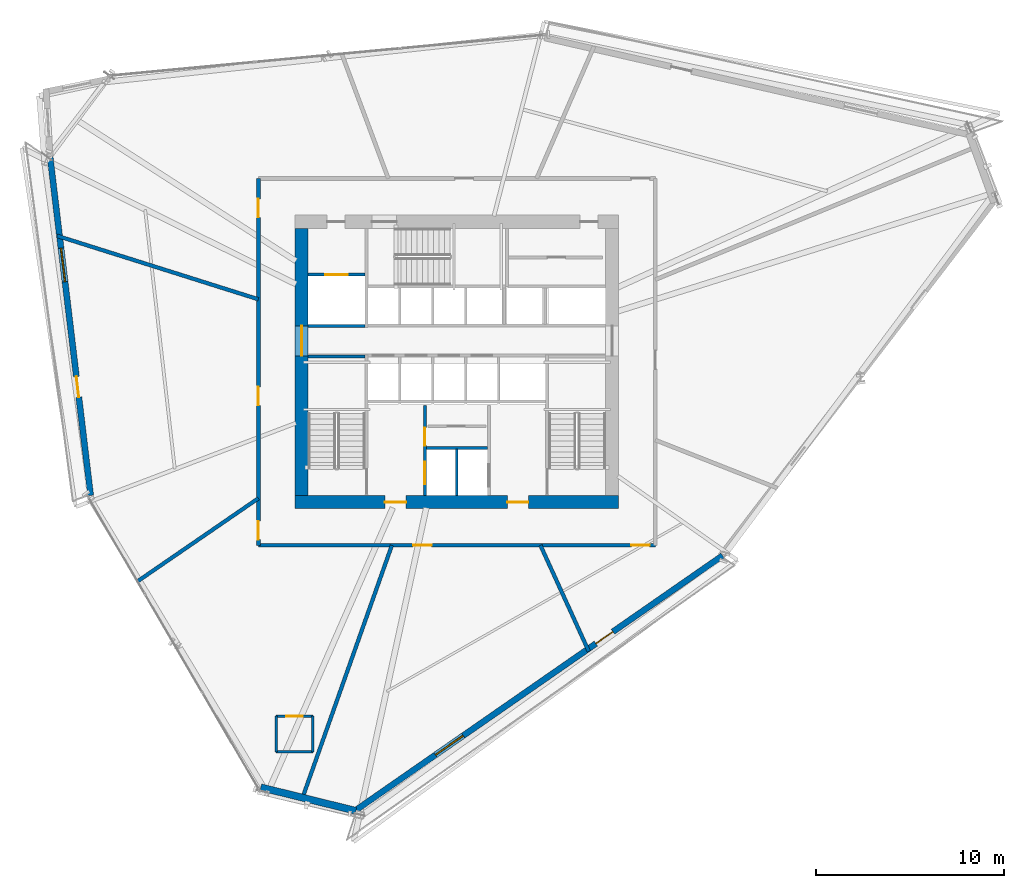
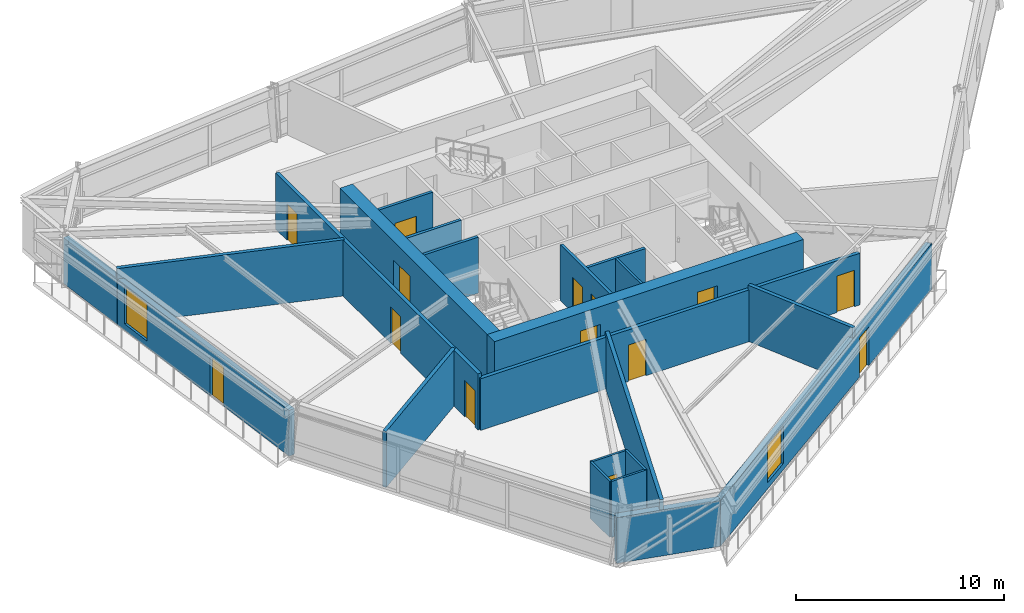
# One storey, part 11 of 17: 21 walls, 14 doors, 2 windows, 16 openings.
"""IFC4 building model written with IfcOpenShell, lengths in metres."""

from ifc_helpers import new_model, si_unit, direction, frame, frame_2d, origin, place, context, subcontext, project, spatial, rectangle, extrude, source, transform, mapped, material, layer, layer_set, type_object, type_shapes, element, fill, save


model = new_model("IFC4")

# Units and contexts
model_context = context("Model", 3, precision=1e-05, world=origin(), true_north=direction((0.0, 1.0)))
body_context = subcontext(model_context, "Body", "Model", "MODEL_VIEW")
ifc_project = project(units=[si_unit("LENGTHUNIT", "METRE"), si_unit("AREAUNIT", "SQUARE_METRE"), si_unit("VOLUMEUNIT", "CUBIC_METRE"), si_unit("PLANEANGLEUNIT", "RADIAN"), si_unit("MASSUNIT", "GRAM", prefix="KILO")], contexts=[model_context])

# Site, building, storey
site_placement = place(None, origin())
site = spatial("IfcSite", under=ifc_project, at=site_placement, CompositionType="ELEMENT")
building_placement = place(site_placement, origin())
building = spatial("IfcBuilding", under=site, at=building_placement, Name="Olszyna Solenne Hotel", CompositionType="ELEMENT")
storey_placement = place(building_placement, frame((0.0, 0.0, 116.35009765625)))
storey = spatial("IfcBuildingStorey", under=building, at=storey_placement, Name="L30", CompositionType="ELEMENT", Elevation=116.35009765625)

# Wall, openings, doors
ifc_material_1 = material(Name="Concrete C60/75", Category="concrete")
ifc_layer_1 = layer(ifc_material_1, 0.699951171875, Name="Concrete C60/75")
ifc_layer_set_1 = layer_set([ifc_layer_1], Name="Concrete C60/75")
wall_type_1 = type_object("IfcWallType", Name="WL-CR700", PredefinedType="SHEAR", material=ifc_layer_set_1)
wall_1_placement = place(storey_placement, frame((46.60009765625, 19.14990234375, 0.0), z_axis=(0.0, 0.0, 1.0), x_axis=(-1.0, 0.0, 0.0)))
wall_1 = element("IfcWall", 1, at=wall_1_placement, inside=storey, type_object=wall_type_1, Name="Core shear wall WL-CR700 CRW-L30-S", PredefinedType="SHEAR", context=body_context, shape_type="SweptSolid", body=[
    extrude(rectangle(XDim=17.2001953125, YDim=0.699951171875, at=frame_2d((8.60009765625, 0.0))), origin(), (0.0, 0.0, 1.0), 3.2998046875),
])
opening_1_placement = place(wall_1_placement, frame((4.800048828125, 0.0, 0.0)))
opening_1 = element("IfcOpeningElement", 2, at=opening_1_placement, cuts=wall_1, Name="Opening FL-L30-1", PredefinedType="OPENING", context=body_context, shape_type="SweptSolid", body=[
    extrude(rectangle(XDim=1.1201171875, YDim=2.25, at=frame_2d((0.56005859375, 1.125))), frame((0.0, 0.35986328125, 0.0), z_axis=(0.0, -1.0, 0.0), x_axis=(1.0, 0.0, 0.0)), (0.0, 0.0, 1.0), 0.719970703125),
])
opening_2_placement = place(wall_1_placement, frame((11.300048828125, 0.0, 0.0)))
opening_2 = element("IfcOpeningElement", 3, at=opening_2_placement, cuts=wall_1, Name="Opening FL-L30-2", PredefinedType="OPENING", context=body_context, shape_type="SweptSolid", body=[
    extrude(rectangle(XDim=1.1201171875, YDim=2.25, at=frame_2d((0.56005859375, 1.125))), frame((0.0, 0.35986328125, 0.0), z_axis=(0.0, -1.0, 0.0), x_axis=(1.0, 0.0, 0.0)), (0.0, 0.0, 1.0), 0.719970703125),
])
ifc_material_2 = material(Name="Steel S355J2", Category="steel")
door_type_1 = type_object("IfcDoorType", Name="DR-FL1", OperationType="NOTDEFINED", PredefinedType="DOOR", material=ifc_material_2)
shared_shape_1 = source(origin(), body_context, "Body", "SweptSolid", [
    extrude(rectangle(XDim=1.1201171875, YDim=2.25, at=frame_2d((0.56005859375, 1.125))), frame((0.0, 0.02490234375, 0.0), z_axis=(0.0, -1.0, 0.0), x_axis=(1.0, 0.0, 0.0)), (0.0, 0.0, 1.0), 0.050048828125),
])
type_shapes(door_type_1, [shared_shape_1])
door_1_placement = place(opening_1_placement, origin())
door_1 = element("IfcDoor", 4, at=door_1_placement, inside=storey, type_object=door_type_1, Name="Firefighting lift lobby smoke door FL-L30-1", OperationType="SINGLE_SWING_LEFT", OverallHeight=2.25, OverallWidth=1.1201171875, PredefinedType="DOOR", context=body_context, shape_type="MappedRepresentation", body=[
    mapped(shared_shape_1, transform((0.0, 0.0, 0.0), x_axis=(1.0, 0.0, 0.0), y_axis=(0.0, 1.0, 0.0), z_axis=(0.0, 0.0, 1.0), scale=1.0)),
])
fill(opening_1, door_1)
door_2_placement = place(opening_2_placement, origin())
door_2 = element("IfcDoor", 5, at=door_2_placement, inside=storey, type_object=door_type_1, Name="Firefighting lift lobby smoke door FL-L30-2", OperationType="SINGLE_SWING_RIGHT", OverallHeight=2.25, OverallWidth=1.1201171875, PredefinedType="DOOR", context=body_context, shape_type="MappedRepresentation", body=[
    mapped(shared_shape_1, transform((0.0, 0.0, 0.0), x_axis=(1.0, 0.0, 0.0), y_axis=(0.0, 1.0, 0.0), z_axis=(0.0, 0.0, 1.0), scale=1.0)),
])
fill(opening_2, door_2)

# Wall, opening, door
wall_2_placement = place(storey_placement, frame((29.75, 19.5, 0.0), z_axis=(0.0, 0.0, 1.0), x_axis=(0.0, 1.0, 0.0)))
wall_2 = element("IfcWall", 6, at=wall_2_placement, inside=storey, type_object=wall_type_1, Name="Core shear wall WL-CR700 CRW-L30-W", PredefinedType="SHEAR", context=body_context, shape_type="SweptSolid", body=[
    extrude(rectangle(XDim=14.199951171875, YDim=0.699951171875, at=frame_2d((7.10009765625, 0.0))), origin(), (0.0, 0.0, 1.0), 3.2998046875),
])
opening_3_placement = place(wall_2_placement, frame((7.419921875, 0.0, 0.0)))
opening_3 = element("IfcOpeningElement", 7, at=opening_3_placement, cuts=wall_2, Name="Opening LHD-L30-W", PredefinedType="OPENING", context=body_context, shape_type="SweptSolid", body=[
    extrude(rectangle(XDim=1.60009765625, YDim=2.199951171875, at=frame_2d((0.800048828125, 1.10009765625))), frame((0.0, 0.35986328125, 0.0), z_axis=(0.0, -1.0, 0.0), x_axis=(1.0, 0.0, 0.0)), (0.0, 0.0, 1.0), 0.719970703125),
])
ifc_material_3 = material(Name="Timber hardwood", Category="wood")
door_type_2 = type_object("IfcDoorType", Name="DR-CR1", OperationType="DOUBLE_DOOR_SINGLE_SWING", PredefinedType="DOOR", material=ifc_material_3)
shared_shape_2 = source(origin(), body_context, "Body", "SweptSolid", [
    extrude(rectangle(XDim=1.60009765625, YDim=2.199951171875, at=frame_2d((0.800048828125, 1.10009765625))), frame((0.0, 0.02490234375, 0.0), z_axis=(0.0, -1.0, 0.0), x_axis=(1.0, 0.0, 0.0)), (0.0, 0.0, 1.0), 0.050048828125),
])
type_shapes(door_type_2, [shared_shape_2])
door_3_placement = place(opening_3_placement, origin())
door_3 = element("IfcDoor", 8, at=door_3_placement, inside=storey, type_object=door_type_2, Name="Passenger lift lobby West fire door LHD-L30-W", OperationType="DOUBLE_DOOR_SINGLE_SWING", OverallHeight=2.199951171875, OverallWidth=1.60009765625, PredefinedType="DOOR", context=body_context, shape_type="MappedRepresentation", body=[
    mapped(shared_shape_2, transform((0.0, 0.0, 0.0), x_axis=(1.0, 0.0, 0.0), y_axis=(0.0, 1.0, 0.0), z_axis=(0.0, 0.0, 1.0), scale=1.0)),
])
fill(opening_3, door_3)

# Wall, openings, door, window
ifc_material_4 = material(Name="Precast concrete C45/55", Category="concrete")
ifc_layer_2 = layer(ifc_material_4, 0.320068359375, Name="Precast concrete C45/55")
ifc_layer_set_2 = layer_set([ifc_layer_2], Name="Precast concrete C45/55")
wall_type_2 = type_object("IfcWallType", Name="WL-EX320", PredefinedType="SOLIDWALL", material=ifc_layer_set_2)
wall_3_placement = place(storey_placement, frame((52.121337890625, 16.300537109375, 0.0), z_axis=(0.0, 0.0, 1.0), x_axis=(-0.821520503946, -0.570178973303, 0.0)))
wall_3 = element("IfcWall", 9, at=wall_3_placement, inside=storey, type_object=wall_type_2, Name="Exterior terracotta-precast frame wall WL-EX320 EW-L30-01", PredefinedType="SOLIDWALL", context=body_context, shape_type="SweptSolid", body=[
    extrude(rectangle(XDim=23.887451171875, YDim=0.320068359375, at=frame_2d((11.94384765625, 0.0))), origin(), (0.0, 0.0, 1.0), 2.69189453125),
])
opening_4_placement = place(wall_3_placement, frame((7.093994140625, 0.0, 0.0)))
opening_4 = element("IfcOpeningElement", 10, at=opening_4_placement, cuts=wall_3, Name="Opening LDG-L30-3", PredefinedType="OPENING", context=body_context, shape_type="SweptSolid", body=[
    extrude(rectangle(XDim=1.10009765625, YDim=2.300048828125, at=frame_2d((0.550048828125, 1.14990234375))), frame((0.0, 0.169921875, 0.0), z_axis=(0.0, -1.0, 0.0), x_axis=(1.0, 0.0, 0.0)), (0.0, 0.0, 1.0), 0.340087890625),
])
opening_5_placement = place(wall_3_placement, frame((16.777099609375, 0.0, 0.3720703125)))
opening_5 = element("IfcOpeningElement", 11, at=opening_5_placement, cuts=wall_3, Name="Opening WN-L30-168", PredefinedType="OPENING", context=body_context, shape_type="SweptSolid", body=[
    extrude(rectangle(XDim=1.800048828125, YDim=2.199951171875, at=frame_2d((0.89990234375, 1.10009765625))), frame((0.0, 0.169921875, 0.0), z_axis=(0.0, -1.0, 0.0), x_axis=(1.0, 0.0, 0.0)), (0.0, 0.0, 1.0), 0.340087890625),
])
ifc_material_5 = material(Name="Anodised bronze aluminium", Category="aluminium")
door_type_3 = type_object("IfcDoorType", Name="DR-LG1", OperationType="NOTDEFINED", PredefinedType="DOOR", material=ifc_material_5)
shared_shape_3 = source(origin(), body_context, "Body", "SweptSolid", [
    extrude(rectangle(XDim=1.10009765625, YDim=2.300048828125, at=frame_2d((0.550048828125, 1.14990234375))), frame((0.0, 0.02490234375, 0.0), z_axis=(0.0, -1.0, 0.0), x_axis=(1.0, 0.0, 0.0)), (0.0, 0.0, 1.0), 0.050048828125),
])
type_shapes(door_type_3, [shared_shape_3])
door_4_placement = place(opening_4_placement, origin())
door_4 = element("IfcDoor", 12, at=door_4_placement, inside=storey, type_object=door_type_3, Name="Exterior loggia balcony door DR-LG1 LDG-L30-3", OperationType="SINGLE_SWING_RIGHT", OverallHeight=2.300048828125, OverallWidth=1.10009765625, PredefinedType="DOOR", context=body_context, shape_type="MappedRepresentation", body=[
    mapped(shared_shape_3, transform((0.0, 0.0, 0.0), x_axis=(1.0, 0.0, 0.0), y_axis=(0.0, 1.0, 0.0), z_axis=(0.0, 0.0, 1.0), scale=1.0)),
])
fill(opening_4, door_4)
ifc_material_6 = material(Name="Low-E triple glazing", Category="glass")
window_type = type_object("IfcWindowType", Name="WN-HT1", PartitioningType="SINGLE_PANEL", PredefinedType="WINDOW", material=ifc_material_6)
shared_shape_4 = source(origin(), body_context, "Body", "SweptSolid", [
    extrude(rectangle(XDim=1.800048828125, YDim=2.199951171875, at=frame_2d((0.89990234375, 1.10009765625))), frame((0.0, 0.030029296875, 0.0), z_axis=(0.0, -1.0, 0.0), x_axis=(1.0, 0.0, 0.0)), (0.0, 0.0, 1.0), 0.06005859375),
])
type_shapes(window_type, [shared_shape_4])
window_1_placement = place(opening_5_placement, origin())
window_1 = element("IfcWindow", 13, at=window_1_placement, inside=storey, type_object=window_type, Name="Loggia room window WN-HT1 WN-L30-168", OverallHeight=2.199951171875, OverallWidth=1.800048828125, PartitioningType="SINGLE_PANEL", PredefinedType="WINDOW", context=body_context, shape_type="MappedRepresentation", body=[
    mapped(shared_shape_4, transform((0.0, 0.0, 0.0), x_axis=(1.0, 0.0, 0.0), y_axis=(0.0, 1.0, 0.0), z_axis=(0.0, 0.0, 1.0), scale=1.0)),
])
fill(opening_5, window_1)

wall_4_placement = place(storey_placement, frame((18.532470703125, 19.504150390625, 0.0), z_axis=(0.0, 0.0, 1.0), x_axis=(-0.118889186276, 0.992907529122, 0.0)))
wall_4 = element("IfcWall", 14, at=wall_4_placement, inside=storey, type_object=wall_type_2, Name="Exterior terracotta-precast frame wall WL-EX320 EW-L30-04", PredefinedType="SOLIDWALL", context=body_context, shape_type="SweptSolid", body=[
    extrude(rectangle(XDim=18.161376953125, YDim=0.320068359375, at=frame_2d((9.08056640625, 0.0))), origin(), (0.0, 0.0, 1.0), 2.69189453125),
])
opening_6_placement = place(wall_4_placement, frame((5.261962890625, 0.0, 0.0)))
opening_6 = element("IfcOpeningElement", 15, at=opening_6_placement, cuts=wall_4, Name="Opening LDG-L30-2", PredefinedType="OPENING", context=body_context, shape_type="SweptSolid", body=[
    extrude(rectangle(XDim=1.10009765625, YDim=2.300048828125, at=frame_2d((0.550048828125, 1.14990234375))), frame((0.0, 0.169921875, 0.0), z_axis=(0.0, -1.0, 0.0), x_axis=(1.0, 0.0, 0.0)), (0.0, 0.0, 1.0), 0.340087890625),
])
opening_7_placement = place(wall_4_placement, frame((11.43896484375, 0.0, 0.3720703125)))
opening_7 = element("IfcOpeningElement", 16, at=opening_7_placement, cuts=wall_4, Name="Opening WN-L30-169", PredefinedType="OPENING", context=body_context, shape_type="SweptSolid", body=[
    extrude(rectangle(XDim=1.800048828125, YDim=2.199951171875, at=frame_2d((0.89990234375, 1.10009765625))), frame((0.0, 0.169921875, 0.0), z_axis=(0.0, -1.0, 0.0), x_axis=(1.0, 0.0, 0.0)), (0.0, 0.0, 1.0), 0.340087890625),
])
door_5_placement = place(opening_6_placement, origin())
door_5 = element("IfcDoor", 17, at=door_5_placement, inside=storey, type_object=door_type_3, Name="Exterior loggia balcony door DR-LG1 LDG-L30-2", OperationType="SINGLE_SWING_LEFT", OverallHeight=2.300048828125, OverallWidth=1.10009765625, PredefinedType="DOOR", context=body_context, shape_type="MappedRepresentation", body=[
    mapped(shared_shape_3, transform((0.0, 0.0, 0.0), x_axis=(1.0, 0.0, 0.0), y_axis=(0.0, 1.0, 0.0), z_axis=(0.0, 0.0, 1.0), scale=1.0)),
])
fill(opening_6, door_5)
window_2_placement = place(opening_7_placement, origin())
window_2 = element("IfcWindow", 18, at=window_2_placement, inside=storey, type_object=window_type, Name="Loggia room window WN-HT1 WN-L30-169", OverallHeight=2.199951171875, OverallWidth=1.800048828125, PartitioningType="SINGLE_PANEL", PredefinedType="WINDOW", context=body_context, shape_type="MappedRepresentation", body=[
    mapped(shared_shape_4, transform((0.0, 0.0, 0.0), x_axis=(1.0, 0.0, 0.0), y_axis=(0.0, 1.0, 0.0), z_axis=(0.0, 0.0, 1.0), scale=1.0)),
])
fill(opening_7, window_2)

# Walls
ifc_material_7 = material(Name="Terracotta cladding on precast concrete C45/55", Category="masonry")
ifc_layer_3 = layer(ifc_material_7, 0.3798828125, Name="Terracotta cladding on precast concrete C45/55")
ifc_layer_set_3 = layer_set([ifc_layer_3], Name="Terracotta cladding on precast concrete C45/55")
wall_type_3 = type_object("IfcWallType", Name="WL-EX380", PredefinedType="SOLIDWALL", material=ifc_layer_set_3)
wall_5_placement = place(storey_placement, frame((32.634033203125, 2.7333984375, 0.0), z_axis=(0.0, 0.0, 1.0), x_axis=(-0.970715706746, 0.240231173408, 0.0)))
element("IfcWall", 19, at=wall_5_placement, inside=storey, type_object=wall_type_3, Name="Exterior terracotta-precast frame wall WL-EX380 EW-L30-02", PredefinedType="SOLIDWALL", context=body_context, shape_type="SweptSolid", body=[
    extrude(rectangle(XDim=5.21142578125, YDim=0.3798828125, at=frame_2d((2.605712890625, 0.0))), origin(), (0.0, 0.0, 1.0), 2.69189453125),
])
ifc_material_8 = material(Name="Acoustic gypsum partition", Category="gypsum")
ifc_layer_4 = layer(ifc_material_8, 0.125, Name="Acoustic gypsum partition")
ifc_layer_set_4 = layer_set([ifc_layer_4], Name="Acoustic gypsum partition")
wall_type_4 = type_object("IfcWallType", Name="WL-PT125", PredefinedType="PARTITIONING", material=ifc_layer_set_4)
wall_6_placement = place(storey_placement, frame((38.0, 19.5, 0.0), z_axis=(0.0, 0.0, 1.0), x_axis=(0.0, 1.0, 0.0)))
element("IfcWall", 20, at=wall_6_placement, inside=storey, type_object=wall_type_4, Name="Core shaft compartment wall CW-L30-FFM", PredefinedType="PARTITIONING", context=body_context, shape_type="SweptSolid", body=[
    extrude(rectangle(XDim=2.4599609375, YDim=0.125, at=frame_2d((1.22998046875, 0.0))), origin(), (0.0, 0.0, 1.0), 3.2998046875),
])
wall_7_placement = place(storey_placement, frame((30.344970703125, 5.87109375, 0.0), z_axis=(0.0, 0.0, 1.0), x_axis=(0.0, 1.0, 0.0)))
element("IfcWall", 21, at=wall_7_placement, inside=storey, type_object=wall_type_4, Name="Interior acoustic partition WL-PT125 PW-L30-1742", PredefinedType="PARTITIONING", context=body_context, shape_type="SweptSolid", body=[
    extrude(rectangle(XDim=1.89990234375, YDim=0.125, at=frame_2d((0.949951171875, 0.0))), origin(), (0.0, 0.0, 1.0), 3.2998046875),
])

# Wall, opening, door
wall_8_placement = place(storey_placement, frame((30.344970703125, 7.77099609375, 0.0), z_axis=(0.0, 0.0, 1.0), x_axis=(-1.0, 0.0, 0.0)))
wall_8 = element("IfcWall", 22, at=wall_8_placement, inside=storey, type_object=wall_type_4, Name="Interior acoustic partition WL-PT125 PW-L30-1743", PredefinedType="PARTITIONING", context=body_context, shape_type="SweptSolid", body=[
    extrude(rectangle(XDim=1.949951171875, YDim=0.125, at=frame_2d((0.97509765625, 0.0))), origin(), (0.0, 0.0, 1.0), 3.2998046875),
])
opening_8_placement = place(wall_8_placement, frame((0.52490234375, 0.0, 0.0)))
opening_8 = element("IfcOpeningElement", 23, at=opening_8_placement, cuts=wall_8, Name="Opening DR-L30-0413", PredefinedType="OPENING", context=body_context, shape_type="SweptSolid", body=[
    extrude(rectangle(XDim=0.89990234375, YDim=2.10009765625, at=frame_2d((0.449951171875, 1.050048828125))), frame((0.0, 0.072509765625, 0.0), z_axis=(0.0, -1.0, 0.0), x_axis=(1.0, 0.0, 0.0)), (0.0, 0.0, 1.0), 0.14501953125),
])
door_type_4 = type_object("IfcDoorType", Name="DR-WC1", OperationType="NOTDEFINED", PredefinedType="DOOR", material=ifc_material_3)
shared_shape_5 = source(origin(), body_context, "Body", "SweptSolid", [
    extrude(rectangle(XDim=0.89990234375, YDim=2.10009765625, at=frame_2d((0.449951171875, 1.050048828125))), frame((0.0, 0.02490234375, 0.0), z_axis=(0.0, -1.0, 0.0), x_axis=(1.0, 0.0, 0.0)), (0.0, 0.0, 1.0), 0.050048828125),
])
type_shapes(door_type_4, [shared_shape_5])
door_6_placement = place(opening_8_placement, origin())
door_6 = element("IfcDoor", 24, at=door_6_placement, inside=storey, type_object=door_type_4, Name="En-Suite Bathroom Door DR-L30-0413", OperationType="SINGLE_SWING_RIGHT", OverallHeight=2.10009765625, OverallWidth=0.89990234375, PredefinedType="DOOR", context=body_context, shape_type="MappedRepresentation", body=[
    mapped(shared_shape_5, transform((0.0, 0.0, 0.0), x_axis=(1.0, 0.0, 0.0), y_axis=(0.0, 1.0, 0.0), z_axis=(0.0, 0.0, 1.0), scale=1.0)),
])
fill(opening_8, door_6)

# Walls
wall_9_placement = place(storey_placement, frame((28.39501953125, 7.77099609375, 0.0), z_axis=(0.0, 0.0, 1.0), x_axis=(0.0, -1.0, 0.0)))
element("IfcWall", 25, at=wall_9_placement, inside=storey, type_object=wall_type_4, Name="Interior acoustic partition WL-PT125 PW-L30-1744", PredefinedType="PARTITIONING", context=body_context, shape_type="SweptSolid", body=[
    extrude(rectangle(XDim=1.89990234375, YDim=0.125, at=frame_2d((0.949951171875, 0.0))), origin(), (0.0, 0.0, 1.0), 3.2998046875),
])
wall_10_placement = place(storey_placement, frame((28.39501953125, 5.87109375, 0.0), z_axis=(0.0, 0.0, 1.0), x_axis=(1.0, 0.0, 0.0)))
element("IfcWall", 26, at=wall_10_placement, inside=storey, type_object=wall_type_4, Name="Interior acoustic partition WL-PT125 PW-L30-1745", PredefinedType="PARTITIONING", context=body_context, shape_type="SweptSolid", body=[
    extrude(rectangle(XDim=1.949951171875, YDim=0.125, at=frame_2d((0.97509765625, 0.0))), origin(), (0.0, 0.0, 1.0), 3.2998046875),
])
ifc_layer_5 = layer(ifc_material_8, 0.159912109375, Name="Acoustic gypsum partition")
ifc_layer_set_5 = layer_set([ifc_layer_5], Name="Acoustic gypsum partition")
wall_type_5 = type_object("IfcWallType", Name="WL-PT160", PredefinedType="PARTITIONING", material=ifc_layer_set_5)
wall_11_placement = place(storey_placement, frame((30.10009765625, 26.8798828125, 0.0), z_axis=(0.0, 0.0, 1.0), x_axis=(1.0, 0.0, 0.0)))
element("IfcWall", 27, at=wall_11_placement, inside=storey, type_object=wall_type_5, Name="Core shaft compartment wall CW-L30-ST1N", PredefinedType="PARTITIONING", context=body_context, shape_type="SweptSolid", body=[
    extrude(rectangle(XDim=3.02001953125, YDim=0.159912109375, at=frame_2d((1.510009765625, 0.0))), origin(), (0.0, 0.0, 1.0), 3.2998046875),
])

# Wall, openings, doors
wall_12_placement = place(storey_placement, frame((36.300048828125, 19.5, 0.0), z_axis=(0.0, 0.0, 1.0), x_axis=(0.0, 1.0, 0.0)))
wall_12 = element("IfcWall", 28, at=wall_12_placement, inside=storey, type_object=wall_type_5, Name="Core shaft compartment wall CW-L30-FF1W", PredefinedType="PARTITIONING", context=body_context, shape_type="SweptSolid", body=[
    extrude(rectangle(XDim=4.780029296875, YDim=0.159912109375, at=frame_2d((2.39013671875, 0.0))), origin(), (0.0, 0.0, 1.0), 3.2998046875),
])
opening_9_placement = place(wall_12_placement, frame((0.60009765625, 0.0, 0.0)))
opening_9 = element("IfcOpeningElement", 29, at=opening_9_placement, cuts=wall_12, Name="Opening LD-L30-FF1", PredefinedType="OPENING", context=body_context, shape_type="SweptSolid", body=[
    extrude(rectangle(XDim=1.199951171875, YDim=2.199951171875, at=frame_2d((0.60009765625, 1.10009765625))), frame((0.0, 0.08984375, 0.0), z_axis=(0.0, -1.0, 0.0), x_axis=(1.0, 0.0, 0.0)), (0.0, 0.0, 1.0), 0.179931640625),
])
opening_10_placement = place(wall_12_placement, frame((2.64990234375, 0.0, 0.0)))
opening_10 = element("IfcOpeningElement", 30, at=opening_10_placement, cuts=wall_12, Name="Opening SVD-L30-SMK", PredefinedType="OPENING", context=body_context, shape_type="SweptSolid", body=[
    extrude(rectangle(XDim=0.949951171875, YDim=2.10009765625, at=frame_2d((0.47509765625, 1.050048828125))), frame((0.0, 0.08984375, 0.0), z_axis=(0.0, -1.0, 0.0), x_axis=(1.0, 0.0, 0.0)), (0.0, 0.0, 1.0), 0.179931640625),
])
door_type_5 = type_object("IfcDoorType", Name="DR-SV1", OperationType="NOTDEFINED", PredefinedType="DOOR", material=ifc_material_2)
shared_shape_6 = source(origin(), body_context, "Body", "SweptSolid", [
    extrude(rectangle(XDim=0.949951171875, YDim=2.10009765625, at=frame_2d((0.47509765625, 1.050048828125))), frame((0.0, 0.02490234375, 0.0), z_axis=(0.0, -1.0, 0.0), x_axis=(1.0, 0.0, 0.0)), (0.0, 0.0, 1.0), 0.050048828125),
])
type_shapes(door_type_5, [shared_shape_6])
door_7_placement = place(opening_10_placement, origin())
door_7 = element("IfcDoor", 31, at=door_7_placement, inside=storey, type_object=door_type_5, Name="Valet and core service room door SVD-L30-SMK", OperationType="SINGLE_SWING_LEFT", OverallHeight=2.10009765625, OverallWidth=0.949951171875, PredefinedType="DOOR", context=body_context, shape_type="MappedRepresentation", body=[
    mapped(shared_shape_6, transform((0.0, 0.0, 0.0), x_axis=(1.0, 0.0, 0.0), y_axis=(0.0, 1.0, 0.0), z_axis=(0.0, 0.0, 1.0), scale=1.0)),
])
fill(opening_10, door_7)
door_type_6 = type_object("IfcDoorType", Name="LD-FF1", OperationType="DOUBLE_DOOR_SLIDING", PredefinedType="DOOR", material=ifc_material_2)
shared_shape_7 = source(origin(), body_context, "Body", "SweptSolid", [
    extrude(rectangle(XDim=1.199951171875, YDim=2.199951171875, at=frame_2d((0.60009765625, 1.10009765625))), frame((0.0, 0.02490234375, 0.0), z_axis=(0.0, -1.0, 0.0), x_axis=(1.0, 0.0, 0.0)), (0.0, 0.0, 1.0), 0.050048828125),
])
type_shapes(door_type_6, [shared_shape_7])
door_8_placement = place(opening_9_placement, origin())
door_8 = element("IfcDoor", 32, at=door_8_placement, inside=storey, type_object=door_type_6, Name="Firefighters lift FF1 sliding landing door LD-L30-FF1", OperationType="DOUBLE_DOOR_SLIDING", OverallHeight=2.199951171875, OverallWidth=1.199951171875, PredefinedType="DOOR", context=body_context, shape_type="MappedRepresentation", body=[
    mapped(shared_shape_7, transform((0.0, 0.0, 0.0), x_axis=(1.0, 0.0, 0.0), y_axis=(0.0, 1.0, 0.0), z_axis=(0.0, 0.0, 1.0), scale=1.0)),
])
fill(opening_9, door_8)

# Walls
wall_13_placement = place(storey_placement, frame((36.3798828125, 22.02001953125, 0.0), z_axis=(0.0, 0.0, 1.0), x_axis=(1.0, 0.0, 0.0)))
element("IfcWall", 33, at=wall_13_placement, inside=storey, type_object=wall_type_5, Name="Core shaft compartment wall CW-L30-FFN", PredefinedType="PARTITIONING", context=body_context, shape_type="SweptSolid", body=[
    extrude(rectangle(XDim=3.240234375, YDim=0.159912109375, at=frame_2d((1.6201171875, 0.0))), origin(), (0.0, 0.0, 1.0), 3.2998046875),
])
wall_14_placement = place(storey_placement, frame((30.10009765625, 28.52001953125, 0.0), z_axis=(0.0, 0.0, 1.0), x_axis=(1.0, 0.0, 0.0)))
element("IfcWall", 34, at=wall_14_placement, inside=storey, type_object=wall_type_5, Name="Core shaft compartment wall CW-L30-SV1S", PredefinedType="PARTITIONING", context=body_context, shape_type="SweptSolid", body=[
    extrude(rectangle(XDim=3.02001953125, YDim=0.159912109375, at=frame_2d((1.510009765625, 0.0))), origin(), (0.0, 0.0, 1.0), 3.2998046875),
])

# Wall, opening, door
wall_15_placement = place(storey_placement, frame((30.10009765625, 31.239990234375, 0.0), z_axis=(0.0, 0.0, 1.0), x_axis=(1.0, 0.0, 0.0)))
wall_15 = element("IfcWall", 35, at=wall_15_placement, inside=storey, type_object=wall_type_5, Name="Core shaft compartment wall CW-L30-SV1N", PredefinedType="PARTITIONING", context=body_context, shape_type="SweptSolid", body=[
    extrude(rectangle(XDim=3.02001953125, YDim=0.159912109375, at=frame_2d((1.510009765625, 0.0))), origin(), (0.0, 0.0, 1.0), 3.2998046875),
])
opening_11_placement = place(wall_15_placement, frame((0.909912109375, 0.0, 0.0)))
opening_11 = element("IfcOpeningElement", 36, at=opening_11_placement, cuts=wall_15, Name="Opening LD-L30-SV1", PredefinedType="OPENING", context=body_context, shape_type="SweptSolid", body=[
    extrude(rectangle(XDim=1.199951171875, YDim=2.199951171875, at=frame_2d((0.60009765625, 1.10009765625))), frame((0.0, 0.08984375, 0.0), z_axis=(0.0, -1.0, 0.0), x_axis=(1.0, 0.0, 0.0)), (0.0, 0.0, 1.0), 0.179931640625),
])
door_9_placement = place(opening_11_placement, origin())
door_9 = element("IfcDoor", 37, at=door_9_placement, inside=storey, type_object=door_type_6, Name="Service lift SV1 sliding landing door LD-L30-SV1", OperationType="DOUBLE_DOOR_SLIDING", OverallHeight=2.199951171875, OverallWidth=1.199951171875, PredefinedType="DOOR", context=body_context, shape_type="MappedRepresentation", body=[
    mapped(shared_shape_7, transform((0.0, 0.0, 0.0), x_axis=(1.0, 0.0, 0.0), y_axis=(0.0, 1.0, 0.0), z_axis=(0.0, 0.0, 1.0), scale=1.0)),
])
fill(opening_11, door_9)

# Walls
ifc_layer_6 = layer(ifc_material_8, 0.199951171875, Name="Acoustic gypsum partition")
ifc_layer_set_6 = layer_set([ifc_layer_6], Name="Acoustic gypsum partition")
wall_type_6 = type_object("IfcWallType", Name="WL-PT200", PredefinedType="PARTITIONING", material=ifc_layer_set_6)
wall_16_placement = place(storey_placement, frame((34.54736328125, 16.85009765625, 0.0), z_axis=(0.0, 0.0, 1.0), x_axis=(-0.333802235789, -0.942643128327, 0.0)))
element("IfcWall", 38, at=wall_16_placement, inside=storey, type_object=wall_type_6, Name="Interior acoustic partition WL-PT200 PW-L30-1734", PredefinedType="PARTITIONING", context=body_context, shape_type="SweptSolid", body=[
    extrude(rectangle(XDim=14.3916015625, YDim=0.199951171875, at=frame_2d((7.19580078125, 0.0))), origin(), (0.0, 0.0, 1.0), 3.2998046875),
])
wall_17_placement = place(storey_placement, frame((42.443359375, 16.85009765625, 0.0), z_axis=(0.0, 0.0, 1.0), x_axis=(0.41469000073, -0.909962748301, 0.0)))
element("IfcWall", 39, at=wall_17_placement, inside=storey, type_object=wall_type_6, Name="Interior acoustic partition WL-PT200 PW-L30-1735", PredefinedType="PARTITIONING", context=body_context, shape_type="SweptSolid", body=[
    extrude(rectangle(XDim=6.19873046875, YDim=0.199951171875, at=frame_2d((3.099365234375, 0.0))), origin(), (0.0, 0.0, 1.0), 3.2998046875),
])
wall_18_placement = place(storey_placement, frame((27.449951171875, 29.926513671875, 0.0), z_axis=(0.0, 0.0, 1.0), x_axis=(-0.953718389909, 0.300701235031, 0.0)))
element("IfcWall", 40, at=wall_18_placement, inside=storey, type_object=wall_type_6, Name="Interior acoustic partition WL-PT200 PW-L30-1740", PredefinedType="PARTITIONING", context=body_context, shape_type="SweptSolid", body=[
    extrude(rectangle(XDim=11.2197265625, YDim=0.199951171875, at=frame_2d((5.60986328125, 0.0))), origin(), (0.0, 0.0, 1.0), 3.2998046875),
])
wall_19_placement = place(storey_placement, frame((27.449951171875, 19.34912109375, 0.0), z_axis=(0.0, 0.0, 1.0), x_axis=(-0.824117180706, -0.566419343301, 0.0)))
element("IfcWall", 41, at=wall_19_placement, inside=storey, type_object=wall_type_6, Name="Interior acoustic partition WL-PT200 PW-L30-1741", PredefinedType="PARTITIONING", context=body_context, shape_type="SweptSolid", body=[
    extrude(rectangle(XDim=7.760986328125, YDim=0.199951171875, at=frame_2d((3.88037109375, 0.0))), origin(), (0.0, 0.0, 1.0), 3.2998046875),
])

# Wall, openings, doors
wall_20_placement = place(storey_placement, frame((27.449951171875, 16.85009765625, 0.0), z_axis=(0.0, 0.0, 1.0), x_axis=(1.0, 0.0, 0.0)))
wall_20 = element("IfcWall", 42, at=wall_20_placement, inside=storey, type_object=wall_type_6, Name="Interior acoustic partition WL-PT200 PW-L30-1746", PredefinedType="PARTITIONING", context=body_context, shape_type="SweptSolid", body=[
    extrude(rectangle(XDim=21.10009765625, YDim=0.199951171875, at=frame_2d((10.550048828125, 0.0))), origin(), (0.0, 0.0, 1.0), 3.044921875),
])
opening_12_placement = place(wall_20_placement, frame((8.22412109375, 0.0, 0.0)))
opening_12 = element("IfcOpeningElement", 43, at=opening_12_placement, cuts=wall_20, Name="Opening DR-L30-0414", PredefinedType="OPENING", context=body_context, shape_type="SweptSolid", body=[
    extrude(rectangle(XDim=0.97998046875, YDim=2.14990234375, at=frame_2d((0.489990234375, 1.074951171875))), frame((0.0, 0.10986328125, 0.0), z_axis=(0.0, -1.0, 0.0), x_axis=(1.0, 0.0, 0.0)), (0.0, 0.0, 1.0), 0.219970703125),
])
opening_13_placement = place(wall_20_placement, frame((19.820068359375, 0.0, 0.0)))
opening_13 = element("IfcOpeningElement", 44, at=opening_13_placement, cuts=wall_20, Name="Opening DR-L30-0415", PredefinedType="OPENING", context=body_context, shape_type="SweptSolid", body=[
    extrude(rectangle(XDim=0.97998046875, YDim=2.14990234375, at=frame_2d((0.489990234375, 1.074951171875))), frame((0.0, 0.10986328125, 0.0), z_axis=(0.0, -1.0, 0.0), x_axis=(1.0, 0.0, 0.0)), (0.0, 0.0, 1.0), 0.219970703125),
])
door_type_7 = type_object("IfcDoorType", Name="DR-RM1", OperationType="NOTDEFINED", PredefinedType="DOOR", material=ifc_material_3)
shared_shape_8 = source(origin(), body_context, "Body", "SweptSolid", [
    extrude(rectangle(XDim=0.97998046875, YDim=2.14990234375, at=frame_2d((0.489990234375, 1.074951171875))), frame((0.0, 0.02490234375, 0.0), z_axis=(0.0, -1.0, 0.0), x_axis=(1.0, 0.0, 0.0)), (0.0, 0.0, 1.0), 0.050048828125),
])
type_shapes(door_type_7, [shared_shape_8])
door_10_placement = place(opening_12_placement, origin())
door_10 = element("IfcDoor", 45, at=door_10_placement, inside=storey, type_object=door_type_7, Name="Private Business Office Entrance Door DR-L30-0414", OperationType="SINGLE_SWING_LEFT", OverallHeight=2.14990234375, OverallWidth=0.97998046875, PredefinedType="DOOR", context=body_context, shape_type="MappedRepresentation", body=[
    mapped(shared_shape_8, transform((0.0, 0.0, 0.0), x_axis=(1.0, 0.0, 0.0), y_axis=(0.0, 1.0, 0.0), z_axis=(0.0, 0.0, 1.0), scale=1.0)),
])
fill(opening_12, door_10)
door_11_placement = place(opening_13_placement, origin())
door_11 = element("IfcDoor", 46, at=door_11_placement, inside=storey, type_object=door_type_7, Name="Private Business Office Entrance Door DR-L30-0415", OperationType="SINGLE_SWING_RIGHT", OverallHeight=2.14990234375, OverallWidth=0.97998046875, PredefinedType="DOOR", context=body_context, shape_type="MappedRepresentation", body=[
    mapped(shared_shape_8, transform((0.0, 0.0, 0.0), x_axis=(1.0, 0.0, 0.0), y_axis=(0.0, 1.0, 0.0), z_axis=(0.0, 0.0, 1.0), scale=1.0)),
])
fill(opening_13, door_11)

wall_21_placement = place(storey_placement, frame((27.449951171875, 16.85009765625, 0.0), z_axis=(0.0, 0.0, 1.0), x_axis=(0.0, 1.0, 0.0)))
wall_21 = element("IfcWall", 47, at=wall_21_placement, inside=storey, type_object=wall_type_6, Name="Interior acoustic partition WL-PT200 PW-L30-1747", PredefinedType="PARTITIONING", context=body_context, shape_type="SweptSolid", body=[
    extrude(rectangle(XDim=19.5, YDim=0.199951171875, at=frame_2d((9.75, 0.0))), origin(), (0.0, 0.0, 1.0), 3.2998046875),
])
opening_14_placement = place(wall_21_placement, frame((17.43408203125, 0.0, 0.0)))
opening_14 = element("IfcOpeningElement", 48, at=opening_14_placement, cuts=wall_21, Name="Opening DR-L30-0416", PredefinedType="OPENING", context=body_context, shape_type="SweptSolid", body=[
    extrude(rectangle(XDim=0.97998046875, YDim=2.14990234375, at=frame_2d((0.489990234375, 1.074951171875))), frame((0.0, 0.10986328125, 0.0), z_axis=(0.0, -1.0, 0.0), x_axis=(1.0, 0.0, 0.0)), (0.0, 0.0, 1.0), 0.219970703125),
])
opening_15_placement = place(wall_21_placement, frame((7.43701171875, 0.0, 0.0)))
opening_15 = element("IfcOpeningElement", 49, at=opening_15_placement, cuts=wall_21, Name="Opening DR-L30-0417", PredefinedType="OPENING", context=body_context, shape_type="SweptSolid", body=[
    extrude(rectangle(XDim=0.97998046875, YDim=2.14990234375, at=frame_2d((0.489990234375, 1.074951171875))), frame((0.0, 0.10986328125, 0.0), z_axis=(0.0, -1.0, 0.0), x_axis=(1.0, 0.0, 0.0)), (0.0, 0.0, 1.0), 0.219970703125),
])
opening_16_placement = place(wall_21_placement, frame((0.300048828125, 0.0, 0.0)))
opening_16 = element("IfcOpeningElement", 50, at=opening_16_placement, cuts=wall_21, Name="Opening DR-L30-0418", PredefinedType="OPENING", context=body_context, shape_type="SweptSolid", body=[
    extrude(rectangle(XDim=0.97998046875, YDim=2.14990234375, at=frame_2d((0.489990234375, 1.074951171875))), frame((0.0, 0.10986328125, 0.0), z_axis=(0.0, -1.0, 0.0), x_axis=(1.0, 0.0, 0.0)), (0.0, 0.0, 1.0), 0.219970703125),
])
door_12_placement = place(opening_14_placement, origin())
door_12 = element("IfcDoor", 51, at=door_12_placement, inside=storey, type_object=door_type_7, Name="Breakfast Tasting Salon Entrance Door DR-L30-0416", OperationType="SINGLE_SWING_RIGHT", OverallHeight=2.14990234375, OverallWidth=0.97998046875, PredefinedType="DOOR", context=body_context, shape_type="MappedRepresentation", body=[
    mapped(shared_shape_8, transform((0.0, 0.0, 0.0), x_axis=(1.0, 0.0, 0.0), y_axis=(0.0, 1.0, 0.0), z_axis=(0.0, 0.0, 1.0), scale=1.0)),
])
fill(opening_14, door_12)
door_13_placement = place(opening_15_placement, origin())
door_13 = element("IfcDoor", 52, at=door_13_placement, inside=storey, type_object=door_type_7, Name="Breakfast Tasting Salon Entrance Door DR-L30-0417", OperationType="SINGLE_SWING_LEFT", OverallHeight=2.14990234375, OverallWidth=0.97998046875, PredefinedType="DOOR", context=body_context, shape_type="MappedRepresentation", body=[
    mapped(shared_shape_8, transform((0.0, 0.0, 0.0), x_axis=(1.0, 0.0, 0.0), y_axis=(0.0, 1.0, 0.0), z_axis=(0.0, 0.0, 1.0), scale=1.0)),
])
fill(opening_15, door_13)
door_14_placement = place(opening_16_placement, origin())
door_14 = element("IfcDoor", 53, at=door_14_placement, inside=storey, type_object=door_type_7, Name="Executive Reading Salon Entrance Door DR-L30-0418", OperationType="SINGLE_SWING_RIGHT", OverallHeight=2.14990234375, OverallWidth=0.97998046875, PredefinedType="DOOR", context=body_context, shape_type="MappedRepresentation", body=[
    mapped(shared_shape_8, transform((0.0, 0.0, 0.0), x_axis=(1.0, 0.0, 0.0), y_axis=(0.0, 1.0, 0.0), z_axis=(0.0, 0.0, 1.0), scale=1.0)),
])
fill(opening_16, door_14)

save(model, "model.ifc")
